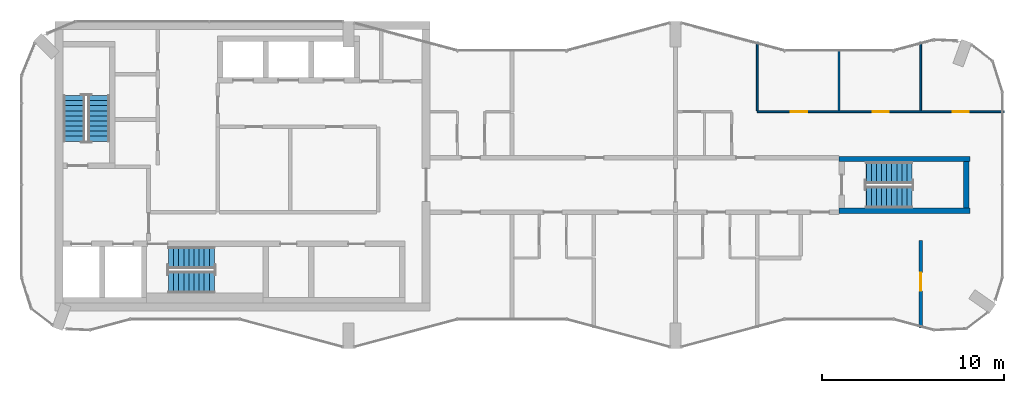
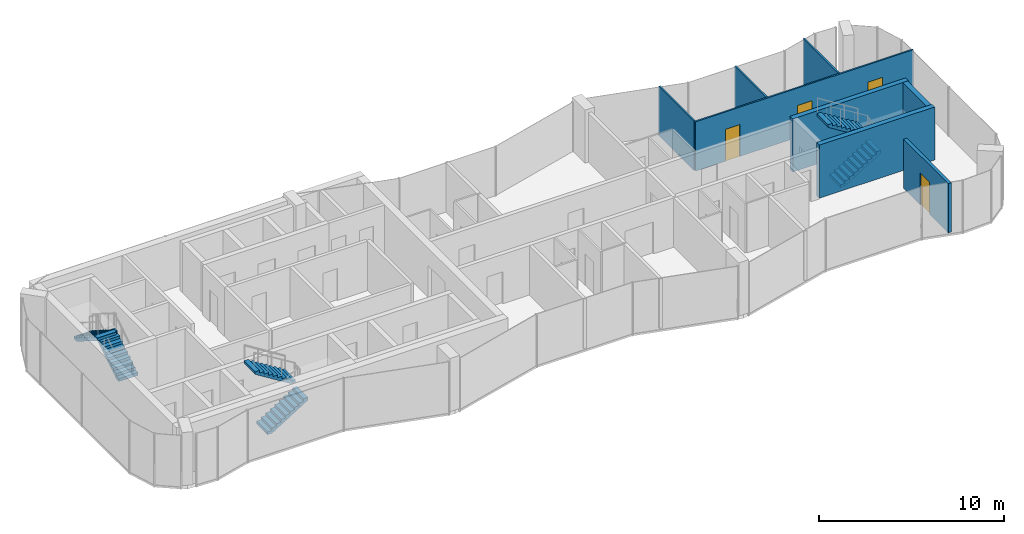
# One storey, part 9 of 10: 8 walls, 6 stair flights, 4 doors, 4 openings, 3 elements without a shape of their own.
"""IFC4 building model written with IfcOpenShell, lengths in metres."""

from ifc_helpers import new_model, si_unit, direction, frame, frame_2d, origin, place, context, subcontext, project, spatial, polyline, rectangle, outline, extrude, material, layer, layer_set, type_object, element, fill, aggregate, save


model = new_model("IFC4")

# Units and contexts
model_context = context("Model", 3, precision=1e-05, world=origin(), true_north=direction((0.0, 1.0)))
body_context = subcontext(model_context, "Body", "Model", "MODEL_VIEW")
ifc_project = project(units=[si_unit("LENGTHUNIT", "METRE"), si_unit("AREAUNIT", "SQUARE_METRE"), si_unit("VOLUMEUNIT", "CUBIC_METRE"), si_unit("PLANEANGLEUNIT", "RADIAN"), si_unit("MASSUNIT", "GRAM", prefix="KILO")], contexts=[model_context])

# Site, building, storey
site_placement = place(None, origin())
site = spatial("IfcSite", under=ifc_project, at=site_placement, CompositionType="ELEMENT")
building_placement = place(site_placement, origin())
building = spatial("IfcBuilding", under=site, at=building_placement, Name="Plateau Cross Towers", CompositionType="ELEMENT")
storey_placement = place(building_placement, frame((0.0, 0.0, 266.89990234375)))
storey = spatial("IfcBuildingStorey", under=building, at=storey_placement, Name="L70", CompositionType="ELEMENT", Elevation=266.89990234375)

# Wall, openings, doors
ifc_material_1 = material(Name="Gypsum board on steel studs", Category="steel")
ifc_layer_1 = layer(ifc_material_1, 0.10009765625)
ifc_layer_set_1 = layer_set([ifc_layer_1], Name="Gypsum board on steel studs")
wall_type_1 = type_object("IfcWallType", Name="Flat partition 100", PredefinedType="PARTITIONING", material=ifc_layer_set_1)
wall_1_placement = place(storey_placement, frame((40.5, 13.02490234375, 0.0), z_axis=(0.0, 0.0, 1.0), x_axis=(1.0, 0.0, 0.0)))
wall_1 = element("IfcWall", 1, at=wall_1_placement, inside=storey, type_object=wall_type_1, Name="Partition wall", PredefinedType="PARTITIONING", context=body_context, shape_type="SweptSolid", body=[
    extrude(rectangle(XDim=13.580078125, YDim=0.10009765625, at=frame_2d((6.7900390625, 0.0))), origin(), (0.0, 0.0, 1.0), 3.25),
])
opening_1_placement = place(wall_1_placement, frame((1.85009765625, 0.0, 0.0)))
opening_1 = element("IfcOpeningElement", 2, at=opening_1_placement, cuts=wall_1, Name="Opening 70-20", PredefinedType="OPENING", context=body_context, shape_type="SweptSolid", body=[
    extrude(rectangle(XDim=0.89990234375, YDim=2.10009765625, at=frame_2d((0.449951171875, 1.050048828125))), frame((0.0, 0.06005859375, 0.0), z_axis=(0.0, -1.0, 0.0), x_axis=(1.0, 0.0, 0.0)), (0.0, 0.0, 1.0), 0.1201171875),
])
opening_2_placement = place(wall_1_placement, frame((6.35009765625, 0.0, 0.0)))
opening_2 = element("IfcOpeningElement", 3, at=opening_2_placement, cuts=wall_1, Name="Opening 70-21", PredefinedType="OPENING", context=body_context, shape_type="SweptSolid", body=[
    extrude(rectangle(XDim=0.89990234375, YDim=2.10009765625, at=frame_2d((0.449951171875, 1.050048828125))), frame((0.0, 0.06005859375, 0.0), z_axis=(0.0, -1.0, 0.0), x_axis=(1.0, 0.0, 0.0)), (0.0, 0.0, 1.0), 0.1201171875),
])
opening_3_placement = place(wall_1_placement, frame((10.75, 0.0, 0.0)))
opening_3 = element("IfcOpeningElement", 4, at=opening_3_placement, cuts=wall_1, Name="Opening 70-22", PredefinedType="OPENING", context=body_context, shape_type="SweptSolid", body=[
    extrude(rectangle(XDim=0.89990234375, YDim=2.10009765625, at=frame_2d((0.449951171875, 1.050048828125))), frame((0.0, 0.06005859375, 0.0), z_axis=(0.0, -1.0, 0.0), x_axis=(1.0, 0.0, 0.0)), (0.0, 0.0, 1.0), 0.1201171875),
])
ifc_material_2 = material(Name="Timber leaf", Category="wood")
door_type_1 = type_object("IfcDoorType", Name="Flat room door 900", OperationType="NOTDEFINED", PredefinedType="DOOR", material=ifc_material_2)
door_1_placement = place(opening_1_placement, origin())
door_1 = element("IfcDoor", 5, at=door_1_placement, inside=storey, type_object=door_type_1, Name="Door 70-20", OperationType="SINGLE_SWING_LEFT", OverallHeight=2.10009765625, OverallWidth=0.89990234375, PredefinedType="DOOR", context=body_context, shape_type="SweptSolid", body=[
    extrude(rectangle(XDim=0.89990234375, YDim=2.10009765625, at=frame_2d((0.449951171875, 1.050048828125))), frame((0.0, 0.02490234375, 0.0), z_axis=(0.0, -1.0, 0.0), x_axis=(1.0, 0.0, 0.0)), (0.0, 0.0, 1.0), 0.050048828125),
])
fill(opening_1, door_1)
door_2_placement = place(opening_2_placement, origin())
door_2 = element("IfcDoor", 6, at=door_2_placement, inside=storey, type_object=door_type_1, Name="Door 70-21", OperationType="SINGLE_SWING_RIGHT", OverallHeight=2.10009765625, OverallWidth=0.89990234375, PredefinedType="DOOR", context=body_context, shape_type="SweptSolid", body=[
    extrude(rectangle(XDim=0.89990234375, YDim=2.10009765625, at=frame_2d((0.449951171875, 1.050048828125))), frame((0.0, 0.02490234375, 0.0), z_axis=(0.0, -1.0, 0.0), x_axis=(1.0, 0.0, 0.0)), (0.0, 0.0, 1.0), 0.050048828125),
])
fill(opening_2, door_2)
door_3_placement = place(opening_3_placement, origin())
door_3 = element("IfcDoor", 7, at=door_3_placement, inside=storey, type_object=door_type_1, Name="Door 70-22", OperationType="SINGLE_SWING_RIGHT", OverallHeight=2.10009765625, OverallWidth=0.89990234375, PredefinedType="DOOR", context=body_context, shape_type="SweptSolid", body=[
    extrude(rectangle(XDim=0.89990234375, YDim=2.10009765625, at=frame_2d((0.449951171875, 1.050048828125))), frame((0.0, 0.02490234375, 0.0), z_axis=(0.0, -1.0, 0.0), x_axis=(1.0, 0.0, 0.0)), (0.0, 0.0, 1.0), 0.050048828125),
])
fill(opening_3, door_3)

# Walls
wall_2_placement = place(storey_placement, frame((40.5, 16.877685546875, 0.0), z_axis=(0.0, 0.0, 1.0), x_axis=(0.0, -1.0, 0.0)))
element("IfcWall", 8, at=wall_2_placement, inside=storey, type_object=wall_type_1, Name="Partition wall", PredefinedType="PARTITIONING", context=body_context, shape_type="SweptSolid", body=[
    extrude(rectangle(XDim=3.802734375, YDim=0.10009765625, at=frame_2d((1.9013671875, 0.0))), origin(), (0.0, 0.0, 1.0), 3.25),
])
wall_3_placement = place(storey_placement, frame((45.0, 13.074951171875, 0.0), z_axis=(0.0, 0.0, 1.0), x_axis=(0.0, 1.0, 0.0)))
element("IfcWall", 9, at=wall_3_placement, inside=storey, type_object=wall_type_1, Name="Partition wall", PredefinedType="PARTITIONING", context=body_context, shape_type="SweptSolid", body=[
    extrude(rectangle(XDim=3.398193359375, YDim=0.10009765625, at=frame_2d((1.69921875, 0.0))), origin(), (0.0, 0.0, 1.0), 3.25),
])
wall_4_placement = place(storey_placement, frame((49.5, 13.074951171875, 0.0), z_axis=(0.0, 0.0, 1.0), x_axis=(0.0, 1.0, 0.0)))
element("IfcWall", 10, at=wall_4_placement, inside=storey, type_object=wall_type_1, Name="Partition wall", PredefinedType="PARTITIONING", context=body_context, shape_type="SweptSolid", body=[
    extrude(rectangle(XDim=3.802734375, YDim=0.10009765625, at=frame_2d((1.9013671875, 0.0))), origin(), (0.0, 0.0, 1.0), 3.25),
])

# Wall, opening, door
ifc_material_3 = material(Name="Gypsum board on steel studs, two layers each side", Category="steel")
ifc_layer_2 = layer(ifc_material_3, 0.199951171875)
ifc_layer_set_2 = layer_set([ifc_layer_2], Name="Gypsum board on steel studs, two layers each side")
wall_type_2 = type_object("IfcWallType", Name="Flat party wall 200", PredefinedType="PARTITIONING", material=ifc_layer_set_2)
wall_5_placement = place(storey_placement, frame((49.5, 1.122314453125, 0.0), z_axis=(0.0, 0.0, 1.0), x_axis=(0.0, 1.0, 0.0)))
wall_5 = element("IfcWall", 11, at=wall_5_placement, inside=storey, type_object=wall_type_2, Name="Party wall", PredefinedType="PARTITIONING", context=body_context, shape_type="SweptSolid", body=[
    extrude(rectangle(XDim=4.82763671875, YDim=0.199951171875, at=frame_2d((2.413818359375, 0.0))), origin(), (0.0, 0.0, 1.0), 3.25),
])
opening_4_placement = place(wall_5_placement, frame((2.050048828125, 0.0, 0.0)))
opening_4 = element("IfcOpeningElement", 12, at=opening_4_placement, cuts=wall_5, Name="Opening 70-11", PredefinedType="OPENING", context=body_context, shape_type="SweptSolid", body=[
    extrude(rectangle(XDim=1.0, YDim=2.10009765625, at=frame_2d((0.5, 1.050048828125))), frame((0.0, 0.10986328125, 0.0), z_axis=(0.0, -1.0, 0.0), x_axis=(1.0, 0.0, 0.0)), (0.0, 0.0, 1.0), 0.219970703125),
])
ifc_material_4 = material(Name="Timber, fire-resisting leaf", Category="wood")
door_type_2 = type_object("IfcDoorType", Name="Flat entrance door 1000", OperationType="NOTDEFINED", PredefinedType="DOOR", material=ifc_material_4)
door_4_placement = place(opening_4_placement, origin())
door_4 = element("IfcDoor", 13, at=door_4_placement, inside=storey, type_object=door_type_2, Name="Door 70-11", OperationType="SINGLE_SWING_RIGHT", OverallHeight=2.10009765625, OverallWidth=1.0, PredefinedType="DOOR", context=body_context, shape_type="SweptSolid", body=[
    extrude(rectangle(XDim=1.0, YDim=2.10009765625, at=frame_2d((0.5, 1.050048828125))), frame((0.0, 0.02490234375, 0.0), z_axis=(0.0, -1.0, 0.0), x_axis=(1.0, 0.0, 0.0)), (0.0, 0.0, 1.0), 0.050048828125),
])
fill(opening_4, door_4)

# Walls
ifc_material_5 = material(Name="Concrete C60/75", Category="concrete")
ifc_layer_3 = layer(ifc_material_5, 0.300048828125)
ifc_layer_set_3 = layer_set([ifc_layer_3], Name="Concrete C60/75")
wall_type_3 = type_object("IfcWallType", Name="Stair tower wall 300", PredefinedType="SHEAR", material=ifc_layer_set_3)
wall_6_placement = place(storey_placement, frame((52.0, 7.72509765625, 0.0), z_axis=(0.0, 0.0, 1.0), x_axis=(0.0, 1.0, 0.0)))
element("IfcWall", 14, at=wall_6_placement, inside=storey, type_object=wall_type_3, Name="A-end-E-E@L70", PredefinedType="SHEAR", context=body_context, shape_type="SweptSolid", body=[
    extrude(rectangle(XDim=2.5498046875, YDim=0.300048828125, at=frame_2d((1.27490234375, 0.0))), origin(), (0.0, 0.0, 1.0), 3.5),
])
for number, where, z_axis, x_axis, name in (
    (15, (45.0, 7.574951171875, 0.0), (0.0, 0.0, 1.0), (1.0, 0.0, 0.0), "A-end-E-S@L70"),
    (16, (45.0, 10.425048828125, 0.0), (0.0, 0.0, 1.0), (1.0, 0.0, 0.0), "A-end-E-N@L70"),
):
    element("IfcWall", number, at=place(storey_placement, frame(where, z_axis=z_axis, x_axis=x_axis)), inside=storey, type_object=wall_type_3, Name=name, PredefinedType="SHEAR", context=body_context, shape_type="SweptSolid", body=[
        extrude(rectangle(XDim=7.199951171875, YDim=0.300048828125, at=frame_2d((3.60009765625, 0.0))), origin(), (0.0, 0.0, 1.0), 3.5),
    ])

# Stair, stair flights
ifc_material_6 = material(Name="Concrete C40/50", Category="concrete")
stair_type = type_object("IfcStairType", Name="ST-TWR", PredefinedType="HALF_TURN_STAIR", material=ifc_material_6)
stair_1_placement = place(storey_placement, origin())
stair_1 = element("IfcStair", 17, at=stair_1_placement, inside=storey, type_object=stair_type, Name="L70 Protected Exit Stair ST-1", PredefinedType="HALF_TURN_STAIR")
stair_flight_type = type_object("IfcStairFlightType", Name="SFL-RC", PredefinedType="STRAIGHT", material=ifc_material_6)
stair_flight_1_placement = place(storey_placement, frame((4.25, 11.39990234375, 0.0), z_axis=(0.0, 0.0, 1.0), x_axis=(0.0, 1.0, 0.0)))
stair_flight_1 = element("IfcStairFlight", 18, at=stair_flight_1_placement, type_object=stair_flight_type, Name="ST-1 flight 1", NumberOfRisers=10, NumberOfTreads=9, PredefinedType="STRAIGHT", RiserHeight=0.175, TreadLength=0.28, context=body_context, shape_type="SweptSolid", body=[
    extrude(outline(polyline([(-0.0048828125, -0.010009765625), (-0.0048828125, 0.0), (0.0, 0.0), (0.0, 0.175048828125), (0.280029296875, 0.175048828125), (0.280029296875, 0.35009765625), (0.56005859375, 0.35009765625), (0.56005859375, 0.52490234375), (0.840087890625, 0.52490234375), (0.840087890625, 0.699951171875), (1.1201171875, 0.699951171875), (1.1201171875, 0.875), (1.39990234375, 0.875), (1.39990234375, 1.050048828125), (1.679931640625, 1.050048828125), (1.679931640625, 1.22509765625), (1.9599609375, 1.22509765625), (1.9599609375, 1.39990234375), (2.239990234375, 1.39990234375), (2.239990234375, 1.574951171875), (2.52001953125, 1.574951171875), (2.52490234375, 1.56494140625), (2.52490234375, 1.398193359375), (2.52001953125, 1.398193359375), (0.28271484375, 0.0), (0.02001953125, 0.0), (0.02001953125, -0.010009765625), (-0.0048828125, -0.010009765625)])), frame((0.0, 0.60009765625, 0.0), z_axis=(0.0, -1.0, 0.0), x_axis=(1.0, 0.0, 0.0)), (0.0, 0.0, 1.0), 1.199951171875),
])
stair_flight_2_placement = place(storey_placement, frame((2.89990234375, 13.919921875, 1.75), z_axis=(0.0, 0.0, 1.0), x_axis=(0.0, -1.0, 0.0)))
stair_flight_2 = element("IfcStairFlight", 19, at=stair_flight_2_placement, type_object=stair_flight_type, Name="ST-1 flight 2", NumberOfRisers=10, NumberOfTreads=9, PredefinedType="STRAIGHT", RiserHeight=0.175, TreadLength=0.28, context=body_context, shape_type="SweptSolid", body=[
    extrude(outline(polyline([(-0.0048828125, -0.010009765625), (-0.0048828125, 0.0), (0.0, 0.0), (0.0, 0.175048828125), (0.280029296875, 0.175048828125), (0.280029296875, 0.35009765625), (0.56005859375, 0.35009765625), (0.56005859375, 0.52490234375), (0.840087890625, 0.52490234375), (0.840087890625, 0.699951171875), (1.1201171875, 0.699951171875), (1.1201171875, 0.875), (1.39990234375, 0.875), (1.39990234375, 1.050048828125), (1.679931640625, 1.050048828125), (1.679931640625, 1.22509765625), (1.9599609375, 1.22509765625), (1.9599609375, 1.39990234375), (2.239990234375, 1.39990234375), (2.239990234375, 1.574951171875), (2.52001953125, 1.574951171875), (2.52490234375, 1.56494140625), (2.52490234375, 1.398193359375), (2.52001953125, 1.398193359375), (0.28271484375, 0.0), (0.02001953125, 0.0), (0.02001953125, -0.010009765625), (-0.0048828125, -0.010009765625)])), frame((0.0, 0.60009765625, 0.0), z_axis=(0.0, -1.0, 0.0), x_axis=(1.0, 0.0, 0.0)), (0.0, 0.0, 1.0), 1.199951171875),
])
aggregate(stair_1, [stair_flight_1, stair_flight_2])

stair_2_placement = place(storey_placement, origin())
stair_2 = element("IfcStair", 20, at=stair_2_placement, inside=storey, type_object=stair_type, Name="L70 Protected Exit Stair ST-2", PredefinedType="HALF_TURN_STAIR")
stair_flight_3_placement = place(storey_placement, frame((8.10009765625, 3.64990234375, 0.0), z_axis=(0.0, 0.0, 1.0), x_axis=(1.0, 0.0, 0.0)))
stair_flight_3 = element("IfcStairFlight", 21, at=stair_flight_3_placement, type_object=stair_flight_type, Name="ST-2 flight 1", NumberOfRisers=10, NumberOfTreads=9, PredefinedType="STRAIGHT", RiserHeight=0.175, TreadLength=0.28, context=body_context, shape_type="SweptSolid", body=[
    extrude(outline(polyline([(-0.0048828125, -0.010009765625), (-0.0048828125, 0.0), (0.0, 0.0), (0.0, 0.175048828125), (0.280029296875, 0.175048828125), (0.280029296875, 0.35009765625), (0.56005859375, 0.35009765625), (0.56005859375, 0.52490234375), (0.840087890625, 0.52490234375), (0.840087890625, 0.699951171875), (1.1201171875, 0.699951171875), (1.1201171875, 0.875), (1.39990234375, 0.875), (1.39990234375, 1.050048828125), (1.679931640625, 1.050048828125), (1.679931640625, 1.22509765625), (1.9599609375, 1.22509765625), (1.9599609375, 1.39990234375), (2.239990234375, 1.39990234375), (2.239990234375, 1.574951171875), (2.52001953125, 1.574951171875), (2.52490234375, 1.56494140625), (2.52490234375, 1.398193359375), (2.52001953125, 1.398193359375), (0.28271484375, 0.0), (0.02001953125, 0.0), (0.02001953125, -0.010009765625), (-0.0048828125, -0.010009765625)])), frame((0.0, 0.60009765625, 0.0), z_axis=(0.0, -1.0, 0.0), x_axis=(1.0, 0.0, 0.0)), (0.0, 0.0, 1.0), 1.199951171875),
])
stair_flight_4_placement = place(storey_placement, frame((10.6201171875, 5.0, 1.75), z_axis=(0.0, 0.0, 1.0), x_axis=(-1.0, 0.0, 0.0)))
stair_flight_4 = element("IfcStairFlight", 22, at=stair_flight_4_placement, type_object=stair_flight_type, Name="ST-2 flight 2", NumberOfRisers=10, NumberOfTreads=9, PredefinedType="STRAIGHT", RiserHeight=0.175, TreadLength=0.28, context=body_context, shape_type="SweptSolid", body=[
    extrude(outline(polyline([(-0.0048828125, -0.010009765625), (-0.0048828125, 0.0), (0.0, 0.0), (0.0, 0.175048828125), (0.280029296875, 0.175048828125), (0.280029296875, 0.35009765625), (0.56005859375, 0.35009765625), (0.56005859375, 0.52490234375), (0.840087890625, 0.52490234375), (0.840087890625, 0.699951171875), (1.1201171875, 0.699951171875), (1.1201171875, 0.875), (1.39990234375, 0.875), (1.39990234375, 1.050048828125), (1.679931640625, 1.050048828125), (1.679931640625, 1.22509765625), (1.9599609375, 1.22509765625), (1.9599609375, 1.39990234375), (2.239990234375, 1.39990234375), (2.239990234375, 1.574951171875), (2.52001953125, 1.574951171875), (2.52490234375, 1.56494140625), (2.52490234375, 1.398193359375), (2.52001953125, 1.398193359375), (0.28271484375, 0.0), (0.02001953125, 0.0), (0.02001953125, -0.010009765625), (-0.0048828125, -0.010009765625)])), frame((0.0, 0.60009765625, 0.0), z_axis=(0.0, -1.0, 0.0), x_axis=(1.0, 0.0, 0.0)), (0.0, 0.0, 1.0), 1.199951171875),
])
aggregate(stair_2, [stair_flight_3, stair_flight_4])

stair_3_placement = place(storey_placement, origin())
stair_3 = element("IfcStair", 23, at=stair_3_placement, inside=storey, type_object=stair_type, Name="L70 Protected Exit Stair E", PredefinedType="HALF_TURN_STAIR")
stair_flight_5_placement = place(storey_placement, frame((46.5, 8.324951171875, 0.0), z_axis=(0.0, 0.0, 1.0), x_axis=(1.0, 0.0, 0.0)))
stair_flight_5 = element("IfcStairFlight", 24, at=stair_flight_5_placement, type_object=stair_flight_type, Name="ES-E flight 1", NumberOfRisers=10, NumberOfTreads=9, PredefinedType="STRAIGHT", RiserHeight=0.175, TreadLength=0.28, context=body_context, shape_type="SweptSolid", body=[
    extrude(outline(polyline([(-0.0048828125, -0.010009765625), (-0.0048828125, 0.0), (0.0, 0.0), (0.0, 0.175048828125), (0.280029296875, 0.175048828125), (0.280029296875, 0.35009765625), (0.56005859375, 0.35009765625), (0.56005859375, 0.52490234375), (0.840087890625, 0.52490234375), (0.840087890625, 0.699951171875), (1.1201171875, 0.699951171875), (1.1201171875, 0.875), (1.39990234375, 0.875), (1.39990234375, 1.050048828125), (1.679931640625, 1.050048828125), (1.679931640625, 1.22509765625), (1.9599609375, 1.22509765625), (1.9599609375, 1.39990234375), (2.239990234375, 1.39990234375), (2.239990234375, 1.574951171875), (2.52001953125, 1.574951171875), (2.52490234375, 1.56494140625), (2.52490234375, 1.398193359375), (2.52001953125, 1.398193359375), (0.28271484375, 0.0), (0.02001953125, 0.0), (0.02001953125, -0.010009765625), (-0.0048828125, -0.010009765625)])), frame((0.0, 0.60009765625, 0.0), z_axis=(0.0, -1.0, 0.0), x_axis=(1.0, 0.0, 0.0)), (0.0, 0.0, 1.0), 1.199951171875),
])
stair_flight_6_placement = place(storey_placement, frame((49.02001953125, 9.675048828125, 1.75), z_axis=(0.0, 0.0, 1.0), x_axis=(-1.0, 0.0, 0.0)))
stair_flight_6 = element("IfcStairFlight", 25, at=stair_flight_6_placement, type_object=stair_flight_type, Name="ES-E flight 2", NumberOfRisers=10, NumberOfTreads=9, PredefinedType="STRAIGHT", RiserHeight=0.175, TreadLength=0.28, context=body_context, shape_type="SweptSolid", body=[
    extrude(outline(polyline([(-0.0048828125, -0.010009765625), (-0.0048828125, 0.0), (0.0, 0.0), (0.0, 0.175048828125), (0.280029296875, 0.175048828125), (0.280029296875, 0.35009765625), (0.56005859375, 0.35009765625), (0.56005859375, 0.52490234375), (0.840087890625, 0.52490234375), (0.840087890625, 0.699951171875), (1.1201171875, 0.699951171875), (1.1201171875, 0.875), (1.39990234375, 0.875), (1.39990234375, 1.050048828125), (1.679931640625, 1.050048828125), (1.679931640625, 1.22509765625), (1.9599609375, 1.22509765625), (1.9599609375, 1.39990234375), (2.239990234375, 1.39990234375), (2.239990234375, 1.574951171875), (2.52001953125, 1.574951171875), (2.52490234375, 1.56494140625), (2.52490234375, 1.398193359375), (2.52001953125, 1.398193359375), (0.28271484375, 0.0), (0.02001953125, 0.0), (0.02001953125, -0.010009765625), (-0.0048828125, -0.010009765625)])), frame((0.0, 0.60009765625, 0.0), z_axis=(0.0, -1.0, 0.0), x_axis=(1.0, 0.0, 0.0)), (0.0, 0.0, 1.0), 1.199951171875),
])
aggregate(stair_3, [stair_flight_5, stair_flight_6])

save(model, "model.ifc")
